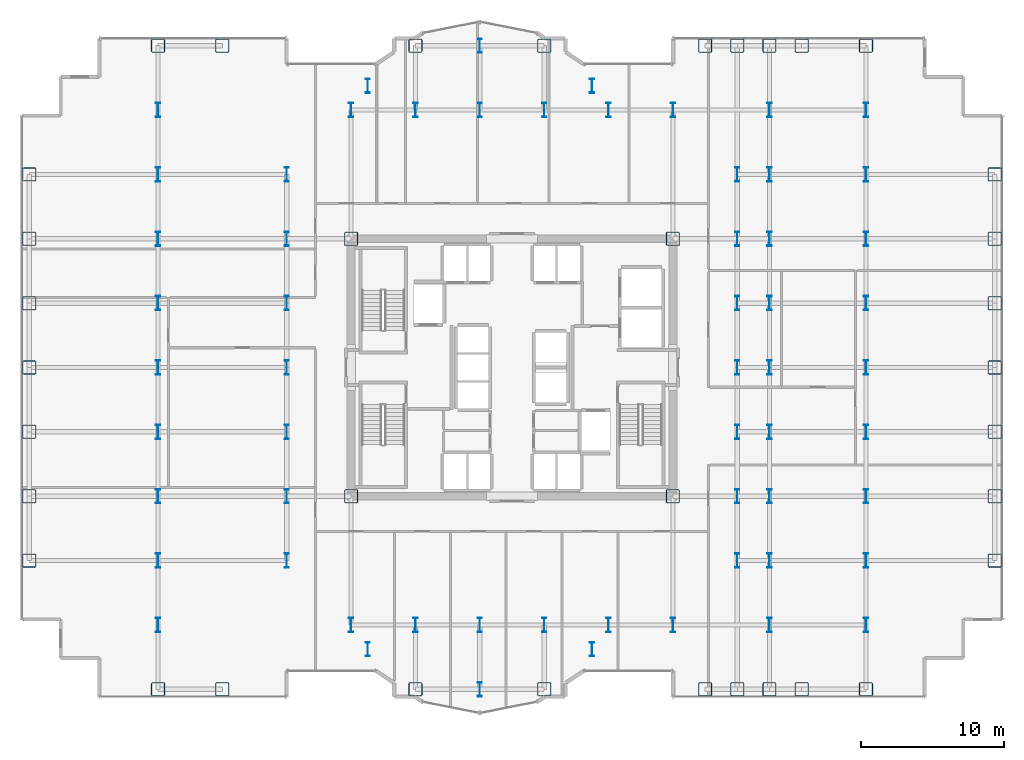
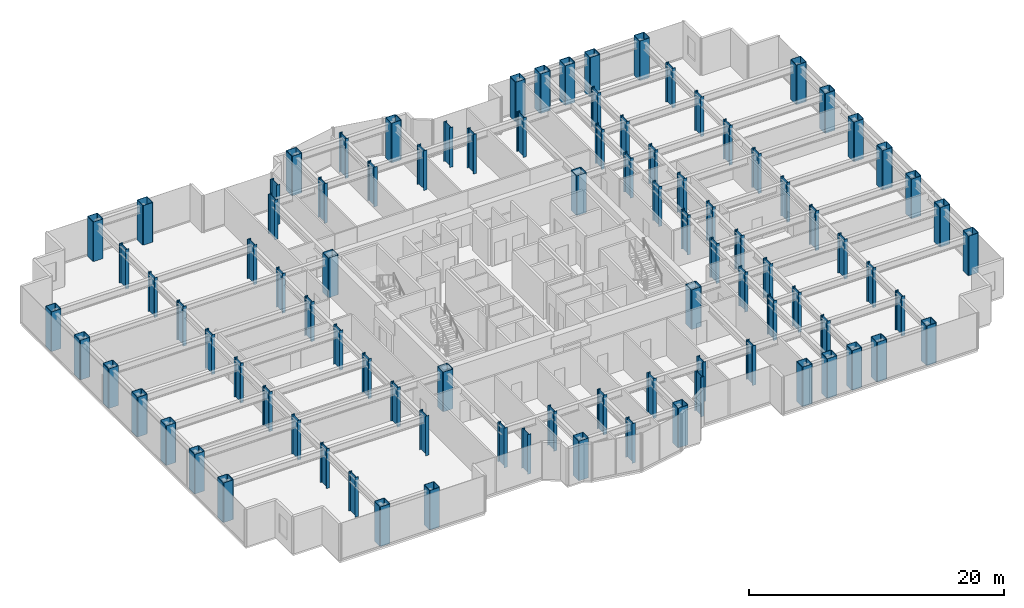
# One storey, part 1 of 26: 95 columns.
"""IFC4 building model written with IfcOpenShell, lengths in metres."""

from ifc_helpers import new_model, si_unit, direction, frame, origin, origin_2d, place, context, subcontext, project, spatial, hollow_rectangle, i_section, extrude, source, transform, mapped, material, material_profile, profile_set, type_object, element, save


model = new_model("IFC4")

# Units and contexts
model_context = context("Model", 3, precision=1e-05, world=origin(), true_north=direction((0.0, 1.0)))
body_context = subcontext(model_context, "Body", "Model", "MODEL_VIEW")
ifc_project = project(units=[si_unit("LENGTHUNIT", "METRE"), si_unit("AREAUNIT", "SQUARE_METRE"), si_unit("VOLUMEUNIT", "CUBIC_METRE"), si_unit("PLANEANGLEUNIT", "RADIAN"), si_unit("MASSUNIT", "GRAM", prefix="KILO")], contexts=[model_context])

# Site, building, storey
site_placement = place(None, origin())
site = spatial("IfcSite", under=ifc_project, at=site_placement, CompositionType="ELEMENT")
building_placement = place(site_placement, origin())
building = spatial("IfcBuilding", under=site, at=building_placement, Name="Nefas-Gora Pilgrimage Tower", CompositionType="ELEMENT")
storey_placement = place(building_placement, frame((0.0, 0.0, 94.60009765625)))
storey = spatial("IfcBuildingStorey", under=building, at=storey_placement, Name="L22", CompositionType="ELEMENT", Elevation=94.60009765625)

# Columns
ifc_material = material(Name="Steel S460", Category="steel")
ifc_material_profile_1 = material_profile(ifc_material, hollow_rectangle(XDim=0.949951171875, YDim=0.949951171875, WallThickness=0.044921875, InnerFilletRadius=0.044921875, OuterFilletRadius=0.090087890625, at=origin_2d()), Name="BOX 950x950x45")
ifc_profile_set_1 = profile_set([ifc_material_profile_1], Name="Steel S460")
column_type_1 = type_object("IfcColumnType", Name="COL-TUBE-950", PredefinedType="COLUMN", material=ifc_profile_set_1)
shared_shape_1 = source(origin(), body_context, "Body", "SweptSolid", [
    extrude(hollow_rectangle(XDim=0.949951171875, YDim=0.949951171875, WallThickness=0.044921875, InnerFilletRadius=0.044921875, OuterFilletRadius=0.090087890625, at=origin_2d()), origin(), (0.0, 0.0, 1.0), 3.7998046875),
])
for number, where, z_axis, x_axis, name in (
    (1, (-33.75, -13.5, 0.0), (0.0, 0.0, 1.0), (1.0, 0.0, 0.0), "L22 Tower Column C-Z1.1"),
    (2, (-33.75, -9.0, 0.0), (0.0, 0.0, 1.0), (1.0, 0.0, 0.0), "L22 Tower Column C-Z1.2"),
    (3, (-33.75, -4.5, 0.0), (0.0, 0.0, 1.0), (1.0, 0.0, 0.0), "L22 Tower Column C-Z1.3"),
    (4, (-33.75, 0.0, 0.0), (0.0, 0.0, 1.0), (1.0, 0.0, 0.0), "L22 Tower Column C-Z1.4"),
    (5, (-33.75, 4.5, 0.0), (0.0, 0.0, 1.0), (1.0, 0.0, 0.0), "L22 Tower Column C-Z1.5"),
    (6, (-33.75, 9.0, 0.0), (0.0, 0.0, 1.0), (1.0, 0.0, 0.0), "L22 Tower Column C-Z1.6"),
    (7, (-33.75, 13.5, 0.0), (0.0, 0.0, 1.0), (1.0, 0.0, 0.0), "L22 Tower Column C-Z1.7"),
    (8, (-24.75, -22.5, 0.0), (0.0, 0.0, 1.0), (1.0, 0.0, 0.0), "L22 Tower Column C-Z1.8"),
    (9, (-24.75, 22.5, 0.0), (0.0, 0.0, 1.0), (1.0, 0.0, 0.0), "L22 Tower Column C-Z1.18"),
    (10, (-20.25, -22.5, 0.0), (0.0, 0.0, 1.0), (1.0, 0.0, 0.0), "L22 Tower Column C-Z1.19"),
    (11, (-20.25, 22.5, 0.0), (0.0, 0.0, 1.0), (1.0, 0.0, 0.0), "L22 Tower Column C-Z1.20"),
    (12, (-6.75, -22.5, 0.0), (0.0, 0.0, 1.0), (1.0, 0.0, 0.0), "L22 Tower Column C-Z1.34"),
    (13, (-6.75, 22.5, 0.0), (0.0, 0.0, 1.0), (1.0, 0.0, 0.0), "L22 Tower Column C-Z1.37"),
    (14, (2.25, -22.5, 0.0), (0.0, 0.0, 1.0), (1.0, 0.0, 0.0), "L22 Tower Column C-Z1.42"),
    (15, (2.25, 22.5, 0.0), (0.0, 0.0, 1.0), (1.0, 0.0, 0.0), "L22 Tower Column C-Z1.45"),
    (16, (13.5, -22.5, 0.0), (0.0, 0.0, 1.0), (1.0, 0.0, 0.0), "L22 Tower Column C-Z1.54"),
    (17, (13.5, 22.5, 0.0), (0.0, 0.0, 1.0), (1.0, 0.0, 0.0), "L22 Tower Column C-Z1.55"),
    (18, (15.75, -22.5, 0.0), (0.0, 0.0, 1.0), (1.0, 0.0, 0.0), "L22 Tower Column C-Z1.56"),
    (19, (15.75, 22.5, 0.0), (0.0, 0.0, 1.0), (1.0, 0.0, 0.0), "L22 Tower Column C-Z1.64"),
    (20, (18.0, -22.5, 0.0), (0.0, 0.0, 1.0), (1.0, 0.0, 0.0), "L22 Tower Column C-Z1.65"),
    (21, (18.0, 22.5, 0.0), (0.0, 0.0, 1.0), (1.0, 0.0, 0.0), "L22 Tower Column C-Z1.75"),
    (22, (20.25, -22.5, 0.0), (0.0, 0.0, 1.0), (1.0, 0.0, 0.0), "L22 Tower Column C-Z1.76"),
    (23, (20.25, 22.5, 0.0), (0.0, 0.0, 1.0), (1.0, 0.0, 0.0), "L22 Tower Column C-Z1.77"),
    (24, (24.75, -22.5, 0.0), (0.0, 0.0, 1.0), (1.0, 0.0, 0.0), "L22 Tower Column C-Z1.78"),
    (25, (24.75, 22.5, 0.0), (0.0, 0.0, 1.0), (1.0, 0.0, 0.0), "L22 Tower Column C-Z1.88"),
    (26, (33.75, -13.5, 0.0), (0.0, 0.0, 1.0), (1.0, 0.0, 0.0), "L22 Tower Column C-Z1.89"),
    (27, (33.75, -9.0, 0.0), (0.0, 0.0, 1.0), (1.0, 0.0, 0.0), "L22 Tower Column C-Z1.90"),
    (28, (33.75, -4.5, 0.0), (0.0, 0.0, 1.0), (1.0, 0.0, 0.0), "L22 Tower Column C-Z1.91"),
    (29, (33.75, 0.0, 0.0), (0.0, 0.0, 1.0), (1.0, 0.0, 0.0), "L22 Tower Column C-Z1.92"),
    (30, (33.75, 4.5, 0.0), (0.0, 0.0, 1.0), (1.0, 0.0, 0.0), "L22 Tower Column C-Z1.93"),
    (31, (33.75, 9.0, 0.0), (0.0, 0.0, 1.0), (1.0, 0.0, 0.0), "L22 Tower Column C-Z1.94"),
    (32, (33.75, 13.5, 0.0), (0.0, 0.0, 1.0), (1.0, 0.0, 0.0), "L22 Tower Column C-Z1.95"),
):
    element("IfcColumn", number, at=place(storey_placement, frame(where, z_axis=z_axis, x_axis=x_axis)), inside=storey, type_object=column_type_1, Name=name, PredefinedType="COLUMN", context=body_context, shape_type="MappedRepresentation", body=[
        mapped(shared_shape_1, transform((0.0, 0.0, 0.0), x_axis=(1.0, 0.0, 0.0), y_axis=(0.0, 1.0, 0.0), z_axis=(0.0, 0.0, 1.0), scale=1.0)),
    ])
ifc_material_profile_2 = material_profile(ifc_material, i_section(OverallWidth=0.302001953125, OverallDepth=1.008056640625, WebThickness=0.02099609375, FlangeThickness=0.0400390625, FilletRadius=0.030029296875, at=origin_2d()), Name="HEM 1000")
ifc_profile_set_2 = profile_set([ifc_material_profile_2], Name="Steel S460")
column_type_2 = type_object("IfcColumnType", Name="COL-WEB-HEM1000", PredefinedType="COLUMN", material=ifc_profile_set_2)
shared_shape_2 = source(origin(), body_context, "Body", "SweptSolid", [
    extrude(i_section(OverallWidth=0.302001953125, OverallDepth=1.008056640625, WebThickness=0.02099609375, FlangeThickness=0.0400390625, FilletRadius=0.030029296875, at=origin_2d()), origin(), (0.0, 0.0, 1.0), 3.7998046875),
])
for number, where, z_axis, x_axis, name in (
    (33, (-24.75, -18.0, 0.0), (0.0, 0.0, 1.0), (1.0, 0.0, 0.0), "L22 Tower Column CW-01.9"),
    (34, (-24.75, -13.5, 0.0), (0.0, 0.0, 1.0), (1.0, 0.0, 0.0), "L22 Tower Column CW-01.10"),
    (35, (-24.75, -9.0, 0.0), (0.0, 0.0, 1.0), (1.0, 0.0, 0.0), "L22 Tower Column CW-01.11"),
    (36, (-24.75, -4.5, 0.0), (0.0, 0.0, 1.0), (1.0, 0.0, 0.0), "L22 Tower Column CW-01.12"),
    (37, (-24.75, 0.0, 0.0), (0.0, 0.0, 1.0), (1.0, 0.0, 0.0), "L22 Tower Column CW-01.13"),
    (38, (-24.75, 4.5, 0.0), (0.0, 0.0, 1.0), (1.0, 0.0, 0.0), "L22 Tower Column CW-01.14"),
    (39, (-24.75, 9.0, 0.0), (0.0, 0.0, 1.0), (1.0, 0.0, 0.0), "L22 Tower Column CW-01.15"),
    (40, (-24.75, 13.5, 0.0), (0.0, 0.0, 1.0), (1.0, 0.0, 0.0), "L22 Tower Column CW-01.16"),
    (41, (-24.75, 18.0, 0.0), (0.0, 0.0, 1.0), (1.0, 0.0, 0.0), "L22 Tower Column CW-01.17"),
    (42, (-15.75, -13.5, 0.0), (0.0, 0.0, 1.0), (1.0, 0.0, 0.0), "L22 Tower Column CW-01.21"),
    (43, (-15.75, -9.0, 0.0), (0.0, 0.0, 1.0), (1.0, 0.0, 0.0), "L22 Tower Column CW-01.22"),
    (44, (-15.75, -4.5, 0.0), (0.0, 0.0, 1.0), (1.0, 0.0, 0.0), "L22 Tower Column CW-01.23"),
    (45, (-15.75, 0.0, 0.0), (0.0, 0.0, 1.0), (1.0, 0.0, 0.0), "L22 Tower Column CW-01.24"),
    (46, (-15.75, 4.5, 0.0), (0.0, 0.0, 1.0), (1.0, 0.0, 0.0), "L22 Tower Column CW-01.25"),
    (47, (-15.75, 9.0, 0.0), (0.0, 0.0, 1.0), (1.0, 0.0, 0.0), "L22 Tower Column CW-01.26"),
    (48, (-15.75, 13.5, 0.0), (0.0, 0.0, 1.0), (1.0, 0.0, 0.0), "L22 Tower Column CW-01.27"),
    (49, (-11.25, -18.0, 0.0), (0.0, 0.0, 1.0), (1.0, 0.0, 0.0), "L22 Tower Column CW-01.28"),
    (50, (-11.25, 18.0, 0.0), (0.0, 0.0, 1.0), (1.0, 0.0, 0.0), "L22 Tower Column CW-01.31"),
    (51, (-10.091064453125, -19.696044921875, 0.0), (0.0, 0.0, 1.0), (1.0, 0.0, 0.0), "L22 Tower Column CW-01.32"),
    (52, (-10.091064453125, 19.696044921875, 0.0), (0.0, 0.0, 1.0), (1.0, 0.0, 0.0), "L22 Tower Column CW-01.33"),
    (53, (-6.75, -18.0, 0.0), (0.0, 0.0, 1.0), (1.0, 0.0, 0.0), "L22 Tower Column CW-01.35"),
    (54, (-6.75, 18.0, 0.0), (0.0, 0.0, 1.0), (1.0, 0.0, 0.0), "L22 Tower Column CW-01.36"),
    (55, (-2.25, -22.5, 0.0), (0.0, 0.0, 1.0), (1.0, 0.0, 0.0), "L22 Tower Column CW-01.38"),
    (56, (-2.25, -18.0, 0.0), (0.0, 0.0, 1.0), (1.0, 0.0, 0.0), "L22 Tower Column CW-01.39"),
    (57, (-2.25, 18.0, 0.0), (0.0, 0.0, 1.0), (1.0, 0.0, 0.0), "L22 Tower Column CW-01.40"),
    (58, (-2.25, 22.5, 0.0), (0.0, 0.0, 1.0), (1.0, 0.0, 0.0), "L22 Tower Column CW-01.41"),
    (59, (2.25, -18.0, 0.0), (0.0, 0.0, 1.0), (1.0, 0.0, 0.0), "L22 Tower Column CW-01.43"),
    (60, (2.25, 18.0, 0.0), (0.0, 0.0, 1.0), (1.0, 0.0, 0.0), "L22 Tower Column CW-01.44"),
    (61, (5.591064453125, -19.696044921875, 0.0), (0.0, 0.0, 1.0), (1.0, 0.0, 0.0), "L22 Tower Column CW-01.46"),
    (62, (5.591064453125, 19.696044921875, 0.0), (0.0, 0.0, 1.0), (1.0, 0.0, 0.0), "L22 Tower Column CW-01.47"),
    (63, (6.75, -18.0, 0.0), (0.0, 0.0, 1.0), (1.0, 0.0, 0.0), "L22 Tower Column CW-01.48"),
    (64, (6.75, 18.0, 0.0), (0.0, 0.0, 1.0), (1.0, 0.0, 0.0), "L22 Tower Column CW-01.49"),
    (65, (11.25, -18.0, 0.0), (0.0, 0.0, 1.0), (1.0, 0.0, 0.0), "L22 Tower Column CW-01.50"),
    (66, (11.25, 18.0, 0.0), (0.0, 0.0, 1.0), (1.0, 0.0, 0.0), "L22 Tower Column CW-01.53"),
    (67, (15.75, -13.5, 0.0), (0.0, 0.0, 1.0), (1.0, 0.0, 0.0), "L22 Tower Column CW-01.57"),
    (68, (15.75, -9.0, 0.0), (0.0, 0.0, 1.0), (1.0, 0.0, 0.0), "L22 Tower Column CW-01.58"),
    (69, (15.75, -4.5, 0.0), (0.0, 0.0, 1.0), (1.0, 0.0, 0.0), "L22 Tower Column CW-01.59"),
    (70, (15.75, 0.0, 0.0), (0.0, 0.0, 1.0), (1.0, 0.0, 0.0), "L22 Tower Column CW-01.60"),
    (71, (15.75, 4.5, 0.0), (0.0, 0.0, 1.0), (1.0, 0.0, 0.0), "L22 Tower Column CW-01.61"),
    (72, (15.75, 9.0, 0.0), (0.0, 0.0, 1.0), (1.0, 0.0, 0.0), "L22 Tower Column CW-01.62"),
    (73, (15.75, 13.5, 0.0), (0.0, 0.0, 1.0), (1.0, 0.0, 0.0), "L22 Tower Column CW-01.63"),
    (74, (18.0, -18.0, 0.0), (0.0, 0.0, 1.0), (1.0, 0.0, 0.0), "L22 Tower Column CW-01.66"),
    (75, (18.0, -13.5, 0.0), (0.0, 0.0, 1.0), (1.0, 0.0, 0.0), "L22 Tower Column CW-01.67"),
    (76, (18.0, -9.0, 0.0), (0.0, 0.0, 1.0), (1.0, 0.0, 0.0), "L22 Tower Column CW-01.68"),
    (77, (18.0, -4.5, 0.0), (0.0, 0.0, 1.0), (1.0, 0.0, 0.0), "L22 Tower Column CW-01.69"),
    (78, (18.0, 0.0, 0.0), (0.0, 0.0, 1.0), (1.0, 0.0, 0.0), "L22 Tower Column CW-01.70"),
    (79, (18.0, 4.5, 0.0), (0.0, 0.0, 1.0), (1.0, 0.0, 0.0), "L22 Tower Column CW-01.71"),
    (80, (18.0, 9.0, 0.0), (0.0, 0.0, 1.0), (1.0, 0.0, 0.0), "L22 Tower Column CW-01.72"),
    (81, (18.0, 13.5, 0.0), (0.0, 0.0, 1.0), (1.0, 0.0, 0.0), "L22 Tower Column CW-01.73"),
    (82, (18.0, 18.0, 0.0), (0.0, 0.0, 1.0), (1.0, 0.0, 0.0), "L22 Tower Column CW-01.74"),
    (83, (24.75, -18.0, 0.0), (0.0, 0.0, 1.0), (1.0, 0.0, 0.0), "L22 Tower Column CW-01.79"),
    (84, (24.75, -13.5, 0.0), (0.0, 0.0, 1.0), (1.0, 0.0, 0.0), "L22 Tower Column CW-01.80"),
    (85, (24.75, -9.0, 0.0), (0.0, 0.0, 1.0), (1.0, 0.0, 0.0), "L22 Tower Column CW-01.81"),
    (86, (24.75, -4.5, 0.0), (0.0, 0.0, 1.0), (1.0, 0.0, 0.0), "L22 Tower Column CW-01.82"),
    (87, (24.75, 0.0, 0.0), (0.0, 0.0, 1.0), (1.0, 0.0, 0.0), "L22 Tower Column CW-01.83"),
    (88, (24.75, 4.5, 0.0), (0.0, 0.0, 1.0), (1.0, 0.0, 0.0), "L22 Tower Column CW-01.84"),
    (89, (24.75, 9.0, 0.0), (0.0, 0.0, 1.0), (1.0, 0.0, 0.0), "L22 Tower Column CW-01.85"),
    (90, (24.75, 13.5, 0.0), (0.0, 0.0, 1.0), (1.0, 0.0, 0.0), "L22 Tower Column CW-01.86"),
    (91, (24.75, 18.0, 0.0), (0.0, 0.0, 1.0), (1.0, 0.0, 0.0), "L22 Tower Column CW-01.87"),
):
    element("IfcColumn", number, at=place(storey_placement, frame(where, z_axis=z_axis, x_axis=x_axis)), inside=storey, type_object=column_type_2, Name=name, PredefinedType="COLUMN", context=body_context, shape_type="MappedRepresentation", body=[
        mapped(shared_shape_2, transform((0.0, 0.0, 0.0), x_axis=(1.0, 0.0, 0.0), y_axis=(0.0, 1.0, 0.0), z_axis=(0.0, 0.0, 1.0), scale=1.0)),
    ])
ifc_material_profile_3 = material_profile(ifc_material, hollow_rectangle(XDim=0.949951171875, YDim=0.949951171875, WallThickness=0.044921875, InnerFilletRadius=0.044921875, OuterFilletRadius=0.090087890625, at=origin_2d()), Name="BOX 950x950x45")
ifc_profile_set_3 = profile_set([ifc_material_profile_3], Name="Steel S460")
column_type_3 = type_object("IfcColumnType", Name="COL-CORE-950", PredefinedType="COLUMN", material=ifc_profile_set_3)
shared_shape_3 = source(origin(), body_context, "Body", "SweptSolid", [
    extrude(hollow_rectangle(XDim=0.949951171875, YDim=0.949951171875, WallThickness=0.044921875, InnerFilletRadius=0.044921875, OuterFilletRadius=0.090087890625, at=origin_2d()), origin(), (0.0, 0.0, 1.0), 3.7998046875),
])
for number, where, z_axis, x_axis, name in (
    (92, (-11.25, -9.0, 0.0), (0.0, 0.0, 1.0), (1.0, 0.0, 0.0), "L22 Tower Column CC-Z1.29"),
    (93, (-11.25, 9.0, 0.0), (0.0, 0.0, 1.0), (1.0, 0.0, 0.0), "L22 Tower Column CC-Z1.30"),
    (94, (11.25, -9.0, 0.0), (0.0, 0.0, 1.0), (1.0, 0.0, 0.0), "L22 Tower Column CC-Z1.51"),
    (95, (11.25, 9.0, 0.0), (0.0, 0.0, 1.0), (1.0, 0.0, 0.0), "L22 Tower Column CC-Z1.52"),
):
    element("IfcColumn", number, at=place(storey_placement, frame(where, z_axis=z_axis, x_axis=x_axis)), inside=storey, type_object=column_type_3, Name=name, PredefinedType="COLUMN", context=body_context, shape_type="MappedRepresentation", body=[
        mapped(shared_shape_3, transform((0.0, 0.0, 0.0), x_axis=(1.0, 0.0, 0.0), y_axis=(0.0, 1.0, 0.0), z_axis=(0.0, 0.0, 1.0), scale=1.0)),
    ])

save(model, "model.ifc")
